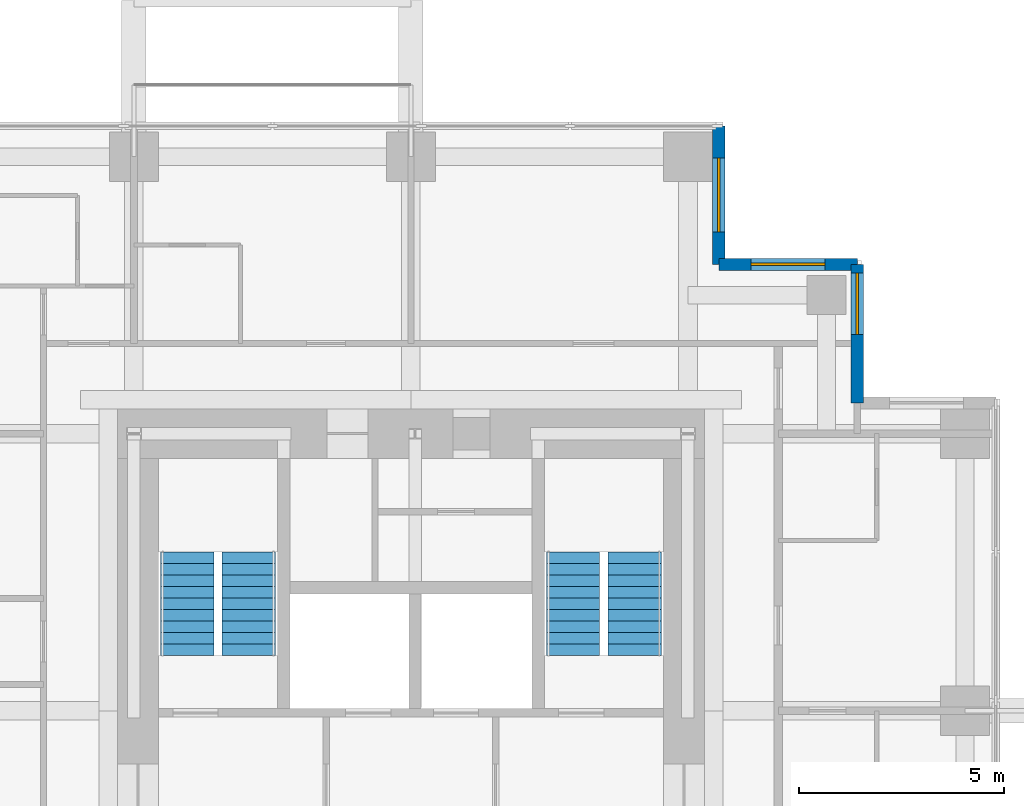
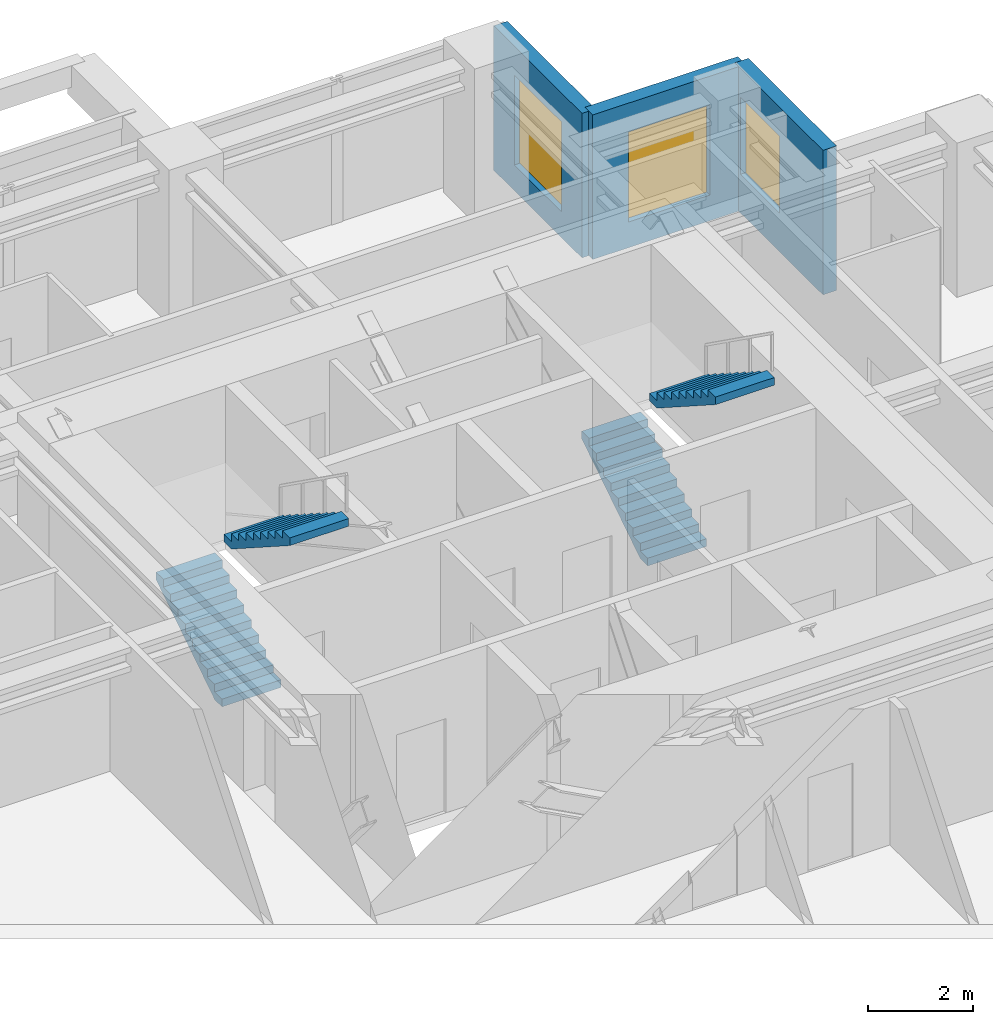
# One storey, part 9 of 10: 4 stair flights, 3 walls, 3 windows, 3 openings, 2 elements without a shape of their own.
"""IFC4 building model written with IfcOpenShell, lengths in metres."""

from ifc_helpers import new_model, si_unit, direction, frame, frame_2d, origin, place, context, subcontext, project, spatial, polyline, rectangle, outline, extrude, material, layer, layer_set, type_object, element, fill, aggregate, save


model = new_model("IFC4")

# Units and contexts
model_context = context("Model", 3, precision=1e-05, world=origin(), true_north=direction((0.0, 1.0)))
body_context = subcontext(model_context, "Body", "Model", "MODEL_VIEW")
ifc_project = project(units=[si_unit("LENGTHUNIT", "METRE"), si_unit("AREAUNIT", "SQUARE_METRE"), si_unit("VOLUMEUNIT", "CUBIC_METRE"), si_unit("PLANEANGLEUNIT", "RADIAN"), si_unit("MASSUNIT", "GRAM", prefix="KILO")], contexts=[model_context])

# Site, building, storey
site_placement = place(None, origin())
site = spatial("IfcSite", under=ifc_project, at=site_placement, CompositionType="ELEMENT")
building_placement = place(site_placement, origin())
building = spatial("IfcBuilding", under=site, at=building_placement, Name="Nyansa Garden Tower", CompositionType="ELEMENT")
storey_placement = place(building_placement, frame((0.0, 0.0, 174.60009765625)))
storey = spatial("IfcBuildingStorey", under=building, at=storey_placement, Name="L47", CompositionType="ELEMENT", Elevation=174.60009765625)

# Wall, opening, window
ifc_material_1 = material(Name="Turquoise glazed tile on concrete blockwork", Category="masonry")
ifc_layer = layer(ifc_material_1, 0.300048828125)
ifc_layer_set = layer_set([ifc_layer], Name="Tiled corner wall TW300")
wall_type = type_object("IfcWallType", Name="Tiled corner wall TW300", PredefinedType="SOLIDWALL", material=ifc_layer_set)
wall_1_placement = place(storey_placement, frame((31.125, 27.75, 0.0), z_axis=(0.0, 0.0, 1.0), x_axis=(0.0, 1.0, 0.0)))
wall_1 = element("IfcWall", 1, at=wall_1_placement, inside=storey, type_object=wall_type, Name="Tiled corner wall L47", PredefinedType="SOLIDWALL", context=body_context, shape_type="SweptSolid", body=[
    extrude(rectangle(XDim=3.375, YDim=0.300048828125, at=frame_2d((1.6875, 0.0))), origin(), (0.0, 0.0, 1.0), 3.375),
])
opening_1_placement = place(wall_1_placement, frame((1.66259765625, 0.0, 0.89990234375)))
opening_1 = element("IfcOpeningElement", 2, at=opening_1_placement, cuts=wall_1, Name="Opening W1", PredefinedType="OPENING", context=body_context, shape_type="SweptSolid", body=[
    extrude(rectangle(XDim=1.5, YDim=1.800048828125, at=frame_2d((0.75, 0.89990234375))), frame((0.0, 0.159912109375, 0.0), z_axis=(0.0, -1.0, 0.0), x_axis=(1.0, 0.0, 0.0)), (0.0, 0.0, 1.0), 0.320068359375),
])
ifc_material_2 = material(Name="Black aluminium frame, dark tinted double glazing", Category="aluminium")
window_type_1 = type_object("IfcWindowType", Name="Window W1 1500x1800", PartitioningType="SINGLE_PANEL", PredefinedType="WINDOW", material=ifc_material_2)
window_1_placement = place(opening_1_placement, origin())
window_1 = element("IfcWindow", 3, at=window_1_placement, inside=storey, type_object=window_type_1, Name="Corner window L47", OverallHeight=1.800048828125, OverallWidth=1.5, PartitioningType="SINGLE_PANEL", PredefinedType="WINDOW", context=body_context, shape_type="SweptSolid", body=[
    extrude(rectangle(XDim=1.5, YDim=1.800048828125, at=frame_2d((0.75, 0.89990234375))), frame((0.0, 0.030029296875, 0.0), z_axis=(0.0, -1.0, 0.0), x_axis=(1.0, 0.0, 0.0)), (0.0, 0.0, 1.0), 0.06005859375),
])
fill(opening_1, window_1)

wall_2_placement = place(storey_placement, frame((31.125, 31.125, 0.0), z_axis=(0.0, 0.0, 1.0), x_axis=(-1.0, 0.0, 0.0)))
wall_2 = element("IfcWall", 4, at=wall_2_placement, inside=storey, type_object=wall_type, Name="Tiled corner wall L47", PredefinedType="SOLIDWALL", context=body_context, shape_type="SweptSolid", body=[
    extrude(rectangle(XDim=3.375, YDim=0.300048828125, at=frame_2d((1.6875, 0.0))), origin(), (0.0, 0.0, 1.0), 3.375),
])
opening_2_placement = place(wall_2_placement, frame((0.78759765625, 0.0, 0.60009765625)))
opening_2 = element("IfcOpeningElement", 5, at=opening_2_placement, cuts=wall_2, Name="Opening W2", PredefinedType="OPENING", context=body_context, shape_type="SweptSolid", body=[
    extrude(rectangle(XDim=1.800048828125, YDim=2.10009765625, at=frame_2d((0.89990234375, 1.050048828125))), frame((0.0, 0.159912109375, 0.0), z_axis=(0.0, -1.0, 0.0), x_axis=(1.0, 0.0, 0.0)), (0.0, 0.0, 1.0), 0.320068359375),
])
ifc_material_3 = material(Name="Black aluminium frame, dark tinted double glazing", Category="aluminium")
window_type_2 = type_object("IfcWindowType", Name="Window W2 1800x2100", PartitioningType="SINGLE_PANEL", PredefinedType="WINDOW", material=ifc_material_3)
window_2_placement = place(opening_2_placement, origin())
window_2 = element("IfcWindow", 6, at=window_2_placement, inside=storey, type_object=window_type_2, Name="Corner window L47", OverallHeight=2.10009765625, OverallWidth=1.800048828125, PartitioningType="SINGLE_PANEL", PredefinedType="WINDOW", context=body_context, shape_type="SweptSolid", body=[
    extrude(rectangle(XDim=1.800048828125, YDim=2.10009765625, at=frame_2d((0.89990234375, 1.050048828125))), frame((0.0, 0.030029296875, 0.0), z_axis=(0.0, -1.0, 0.0), x_axis=(1.0, 0.0, 0.0)), (0.0, 0.0, 1.0), 0.06005859375),
])
fill(opening_2, window_2)

wall_3_placement = place(storey_placement, frame((27.75, 31.125, 0.0), z_axis=(0.0, 0.0, 1.0), x_axis=(0.0, 1.0, 0.0)))
wall_3 = element("IfcWall", 7, at=wall_3_placement, inside=storey, type_object=wall_type, Name="Tiled corner wall L47", PredefinedType="SOLIDWALL", context=body_context, shape_type="SweptSolid", body=[
    extrude(rectangle(XDim=3.375, YDim=0.300048828125, at=frame_2d((1.6875, 0.0))), origin(), (0.0, 0.0, 1.0), 3.375),
])
opening_3_placement = place(wall_3_placement, frame((0.78759765625, 0.0, 0.60009765625)))
opening_3 = element("IfcOpeningElement", 8, at=opening_3_placement, cuts=wall_3, Name="Opening W2", PredefinedType="OPENING", context=body_context, shape_type="SweptSolid", body=[
    extrude(rectangle(XDim=1.800048828125, YDim=2.10009765625, at=frame_2d((0.89990234375, 1.050048828125))), frame((0.0, 0.159912109375, 0.0), z_axis=(0.0, -1.0, 0.0), x_axis=(1.0, 0.0, 0.0)), (0.0, 0.0, 1.0), 0.320068359375),
])
window_3_placement = place(opening_3_placement, origin())
window_3 = element("IfcWindow", 9, at=window_3_placement, inside=storey, type_object=window_type_2, Name="Corner window L47", OverallHeight=2.10009765625, OverallWidth=1.800048828125, PartitioningType="SINGLE_PANEL", PredefinedType="WINDOW", context=body_context, shape_type="SweptSolid", body=[
    extrude(rectangle(XDim=1.800048828125, YDim=2.10009765625, at=frame_2d((0.89990234375, 1.050048828125))), frame((0.0, 0.030029296875, 0.0), z_axis=(0.0, -1.0, 0.0), x_axis=(1.0, 0.0, 0.0)), (0.0, 0.0, 1.0), 0.06005859375),
])
fill(opening_3, window_3)

# Stair, stair flights
ifc_material_4 = material(Name="Precast concrete C40/50", Category="concrete")
stair_type_1 = type_object("IfcStairType", Name="Stair S1 180x280", PredefinedType="HALF_TURN_STAIR", material=ifc_material_4)
stair_1_placement = place(storey_placement, origin())
stair_1 = element("IfcStair", 10, at=stair_1_placement, inside=storey, type_object=stair_type_1, Name="Stair S1 L47", PredefinedType="HALF_TURN_STAIR")
ifc_material_5 = material(Name="Precast concrete C40/50", Category="concrete")
stair_flight_type_1 = type_object("IfcStairFlightType", Name="Stair flight S1 180x280x10", PredefinedType="STRAIGHT", material=ifc_material_5)
stair_flight_1_placement = place(storey_placement, frame((14.800048828125, 21.60009765625, 0.0), z_axis=(0.0, 0.0, 1.0), x_axis=(0.0, 1.0, 0.0)))
stair_flight_1 = element("IfcStairFlight", 11, at=stair_flight_1_placement, type_object=stair_flight_type_1, Name="S1 flight 1", NumberOfRisers=10, NumberOfTreads=9, PredefinedType="STRAIGHT", RiserHeight=0.18, TreadLength=0.28, context=body_context, shape_type="SweptSolid", body=[
    extrude(outline(polyline([(0.0, 0.0), (0.0, 0.179931640625), (0.280029296875, 0.179931640625), (0.280029296875, 0.360107421875), (0.56005859375, 0.360107421875), (0.56005859375, 0.5400390625), (0.840087890625, 0.5400390625), (0.840087890625, 0.719970703125), (1.1201171875, 0.719970703125), (1.1201171875, 0.89990234375), (1.39990234375, 0.89990234375), (1.39990234375, 1.080078125), (1.679931640625, 1.080078125), (1.679931640625, 1.260009765625), (1.9599609375, 1.260009765625), (1.9599609375, 1.43994140625), (2.239990234375, 1.43994140625), (2.239990234375, 1.6201171875), (2.52001953125, 1.6201171875), (2.52001953125, 1.800048828125), (2.52001953125, 1.44189453125), (0.277099609375, 0.0), (0.0, 0.0)])), frame((0.0, 0.64990234375, 0.0), z_axis=(0.0, -1.0, 0.0), x_axis=(1.0, 0.0, 0.0)), (0.0, 0.0, 1.0), 1.300048828125),
])
stair_flight_2_placement = place(storey_placement, frame((16.300048828125, 24.1201171875, 1.7998046875), z_axis=(0.0, 0.0, 1.0), x_axis=(0.0, -1.0, 0.0)))
stair_flight_2 = element("IfcStairFlight", 12, at=stair_flight_2_placement, type_object=stair_flight_type_1, Name="S1 flight 2", NumberOfRisers=10, NumberOfTreads=9, PredefinedType="STRAIGHT", RiserHeight=0.18, TreadLength=0.28, context=body_context, shape_type="SweptSolid", body=[
    extrude(outline(polyline([(0.0, 0.0), (0.0, 0.179931640625), (0.280029296875, 0.179931640625), (0.280029296875, 0.360107421875), (0.56005859375, 0.360107421875), (0.56005859375, 0.5400390625), (0.840087890625, 0.5400390625), (0.840087890625, 0.719970703125), (1.1201171875, 0.719970703125), (1.1201171875, 0.89990234375), (1.39990234375, 0.89990234375), (1.39990234375, 1.080078125), (1.679931640625, 1.080078125), (1.679931640625, 1.260009765625), (1.9599609375, 1.260009765625), (1.9599609375, 1.43994140625), (2.239990234375, 1.43994140625), (2.239990234375, 1.6201171875), (2.52001953125, 1.6201171875), (2.52001953125, 1.800048828125), (2.52001953125, 1.44189453125), (0.277099609375, 0.0), (0.0, 0.0)])), frame((0.0, 0.64990234375, 0.0), z_axis=(0.0, -1.0, 0.0), x_axis=(1.0, 0.0, 0.0)), (0.0, 0.0, 1.0), 1.300048828125),
])
aggregate(stair_1, [stair_flight_1, stair_flight_2])

ifc_material_6 = material(Name="Precast concrete C40/50", Category="concrete")
stair_type_2 = type_object("IfcStairType", Name="Stair S2 180x280", PredefinedType="HALF_TURN_STAIR", material=ifc_material_6)
stair_2_placement = place(storey_placement, origin())
stair_2 = element("IfcStair", 13, at=stair_2_placement, inside=storey, type_object=stair_type_2, Name="Stair S2 L47", PredefinedType="HALF_TURN_STAIR")
ifc_material_7 = material(Name="Precast concrete C40/50", Category="concrete")
stair_flight_type_2 = type_object("IfcStairFlightType", Name="Stair flight S2 180x280x10", PredefinedType="STRAIGHT", material=ifc_material_7)
stair_flight_3_placement = place(storey_placement, frame((24.199951171875, 21.60009765625, 0.0), z_axis=(0.0, 0.0, 1.0), x_axis=(0.0, 1.0, 0.0)))
stair_flight_3 = element("IfcStairFlight", 14, at=stair_flight_3_placement, type_object=stair_flight_type_2, Name="S2 flight 1", NumberOfRisers=10, NumberOfTreads=9, PredefinedType="STRAIGHT", RiserHeight=0.18, TreadLength=0.28, context=body_context, shape_type="SweptSolid", body=[
    extrude(outline(polyline([(0.0, 0.0), (0.0, 0.179931640625), (0.280029296875, 0.179931640625), (0.280029296875, 0.360107421875), (0.56005859375, 0.360107421875), (0.56005859375, 0.5400390625), (0.840087890625, 0.5400390625), (0.840087890625, 0.719970703125), (1.1201171875, 0.719970703125), (1.1201171875, 0.89990234375), (1.39990234375, 0.89990234375), (1.39990234375, 1.080078125), (1.679931640625, 1.080078125), (1.679931640625, 1.260009765625), (1.9599609375, 1.260009765625), (1.9599609375, 1.43994140625), (2.239990234375, 1.43994140625), (2.239990234375, 1.6201171875), (2.52001953125, 1.6201171875), (2.52001953125, 1.800048828125), (2.52001953125, 1.44189453125), (0.277099609375, 0.0), (0.0, 0.0)])), frame((0.0, 0.64990234375, 0.0), z_axis=(0.0, -1.0, 0.0), x_axis=(1.0, 0.0, 0.0)), (0.0, 0.0, 1.0), 1.300048828125),
])
stair_flight_4_placement = place(storey_placement, frame((25.699951171875, 24.1201171875, 1.7998046875), z_axis=(0.0, 0.0, 1.0), x_axis=(0.0, -1.0, 0.0)))
stair_flight_4 = element("IfcStairFlight", 15, at=stair_flight_4_placement, type_object=stair_flight_type_2, Name="S2 flight 2", NumberOfRisers=10, NumberOfTreads=9, PredefinedType="STRAIGHT", RiserHeight=0.18, TreadLength=0.28, context=body_context, shape_type="SweptSolid", body=[
    extrude(outline(polyline([(0.0, 0.0), (0.0, 0.179931640625), (0.280029296875, 0.179931640625), (0.280029296875, 0.360107421875), (0.56005859375, 0.360107421875), (0.56005859375, 0.5400390625), (0.840087890625, 0.5400390625), (0.840087890625, 0.719970703125), (1.1201171875, 0.719970703125), (1.1201171875, 0.89990234375), (1.39990234375, 0.89990234375), (1.39990234375, 1.080078125), (1.679931640625, 1.080078125), (1.679931640625, 1.260009765625), (1.9599609375, 1.260009765625), (1.9599609375, 1.43994140625), (2.239990234375, 1.43994140625), (2.239990234375, 1.6201171875), (2.52001953125, 1.6201171875), (2.52001953125, 1.800048828125), (2.52001953125, 1.44189453125), (0.277099609375, 0.0), (0.0, 0.0)])), frame((0.0, 0.64990234375, 0.0), z_axis=(0.0, -1.0, 0.0), x_axis=(1.0, 0.0, 0.0)), (0.0, 0.0, 1.0), 1.300048828125),
])
aggregate(stair_2, [stair_flight_3, stair_flight_4])

save(model, "model.ifc")
